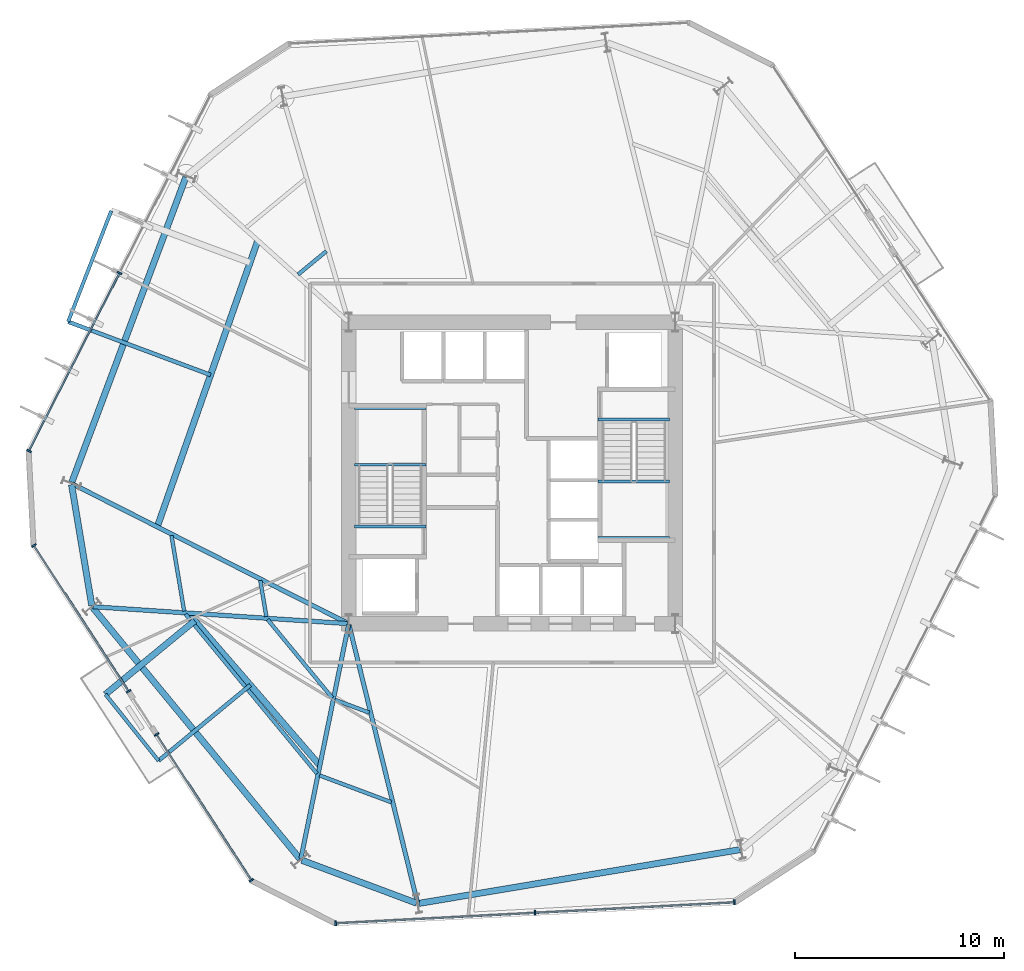
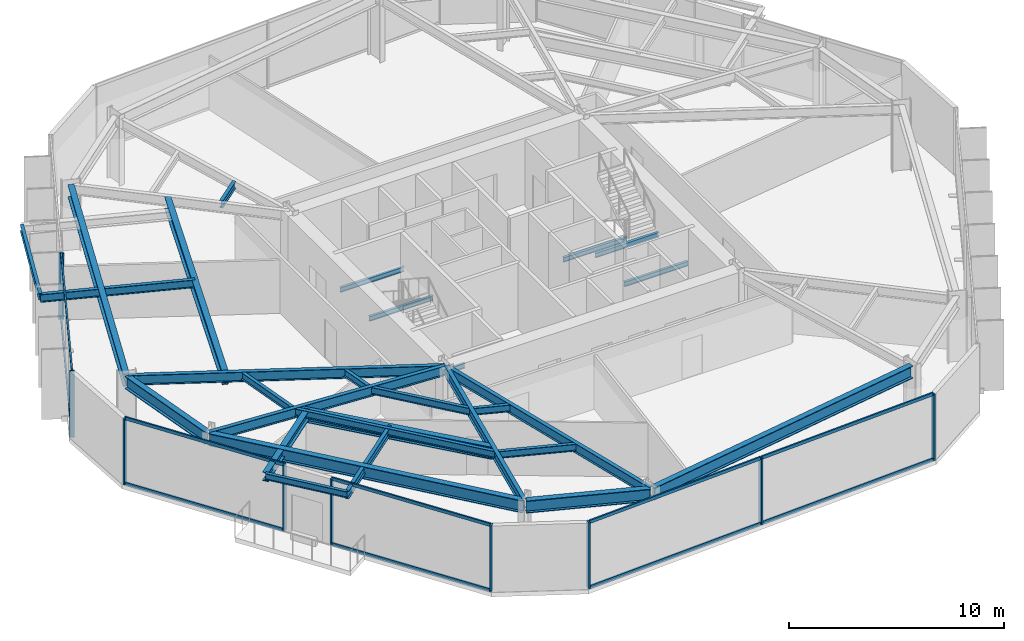
# One storey, part 2 of 10: 29 beams, 19 members, 4 elements without a shape of their own.
"""IFC4 building model written with IfcOpenShell, lengths in metres."""

import ifcopenshell
import ifcopenshell.guid

model = None  # the IFC model being written
_history = None  # IfcOwnerHistory: only IFC2X3 demands one
_inside = {}  # id of a spatial element -> (the spatial element, [elements in it])
_under = {}  # id of a project, library or spatial element -> (it, [spatial elements below it])
_declared = {}  # id of a project -> (the project, [libraries it declares])
_typed = {}  # id of a type object -> (the type object, [elements of that type])
_made_of = {}  # id of a material, layer set ... -> (it, [elements and type objects made of it])


def new_model(schema):
    """Start an empty IFC model of exactly this schema.

    Asked for "IFC4X3", IfcOpenShell would pick the latest addendum, in which some entities
    have other attributes; the version numbers below select the first issue.
    IFC2X3 requires an IfcOwnerHistory on every rooted entity: one is made here for all.
    """
    global model, _history
    if schema == "IFC4X3":
        model = ifcopenshell.file(schema_version=(4, 3, 0, 0))
    else:
        model = ifcopenshell.file(schema=schema)
    _inside.clear()
    _under.clear()
    _declared.clear()
    _typed.clear()
    _made_of.clear()
    _history = None
    if model.schema == "IFC2X3":
        org = make("IfcOrganization", Name="unknown")
        user = make(
            "IfcPersonAndOrganization",
            ThePerson=make("IfcPerson", FamilyName="unknown"),
            TheOrganization=org,
        )
        app = make(
            "IfcApplication",
            ApplicationDeveloper=org,
            Version="unknown",
            ApplicationFullName="unknown",
            ApplicationIdentifier="unknown",
        )
        _history = make(
            "IfcOwnerHistory",
            OwningUser=user,
            OwningApplication=app,
            ChangeAction="ADDED",
            CreationDate=0,
        )
    return model


def make(cls, **values):
    """One entity of the class cls with the attributes given. An attribute that is None is left unset."""
    return model.create_entity(
        cls, **{name: value for name, value in values.items() if value is not None}
    )


def rooted(cls, **values):
    """An entity with a GlobalId (a new one), such as an element, a storey or a relation."""
    return make(cls, GlobalId=ifcopenshell.guid.new(), OwnerHistory=_history, **values)


def si_unit(unit_type, name, prefix=None):
    """IfcSIUnit, for example si_unit("LENGTHUNIT", "METRE", prefix="MILLI")."""
    return make("IfcSIUnit", UnitType=unit_type, Prefix=prefix, Name=name)


def assignment(units):
    """IfcUnitAssignment: the units of a project."""
    return None if units is None else make("IfcUnitAssignment", Units=units)


def point(xyz):
    """IfcCartesianPoint."""
    return None if xyz is None else make("IfcCartesianPoint", Coordinates=xyz)


def direction(xyz):
    """IfcDirection."""
    return None if xyz is None else make("IfcDirection", DirectionRatios=xyz)


def frame(location, z_axis=None, x_axis=None):
    """IfcAxis2Placement3D, a coordinate frame: its origin and axes. An axis left out is left unset."""
    return make(
        "IfcAxis2Placement3D",
        Location=point(location),
        Axis=direction(z_axis),
        RefDirection=direction(x_axis),
    )


def frame_2d(location, x_axis=None):
    """IfcAxis2Placement2D, a coordinate frame in the plane: its origin and x axis."""
    return make(
        "IfcAxis2Placement2D", Location=point(location), RefDirection=direction(x_axis)
    )


def origin():
    """The frame at (0, 0, 0) with its axes left unset."""
    return frame((0.0, 0.0, 0.0))


def origin_2d():
    """The frame at (0, 0) in the plane with its x axis left unset."""
    return frame_2d((0.0, 0.0))


def place(relative_to, where):
    """IfcLocalPlacement: puts the frame where relative to a parent placement (None: the world)."""
    return make(
        "IfcLocalPlacement", PlacementRelTo=relative_to, RelativePlacement=where
    )


def context(
    kind, dimensions, precision=None, world=None, true_north=None, identifier=None
):
    """IfcGeometricRepresentationContext, for example the 3D "Model" context."""
    return make(
        "IfcGeometricRepresentationContext",
        ContextIdentifier=identifier,
        ContextType=kind,
        CoordinateSpaceDimension=dimensions,
        Precision=precision,
        WorldCoordinateSystem=world,
        TrueNorth=true_north,
    )


def subcontext(parent, identifier, kind, view, scale=None):
    """IfcGeometricRepresentationSubContext, for example "Body" below "Model"."""
    return make(
        "IfcGeometricRepresentationSubContext",
        ContextIdentifier=identifier,
        ContextType=kind,
        ParentContext=parent,
        TargetScale=scale,
        TargetView=view,
    )


def project(units=None, contexts=None):
    """IfcProject with its units and contexts."""
    return rooted(
        "IfcProject",
        Name="project",
        RepresentationContexts=contexts,
        UnitsInContext=assignment(units),
    )


def spatial(cls, under=None, at=None, **own):
    """A site, building, storey or space (cls), placed at a placement, below another one or the project."""
    s = rooted(cls, ObjectPlacement=at, **own)
    if under is not None:
        _under.setdefault(under.id(), (under, []))[1].append(s)
    return s


def profile(cls, at=None, kind="AREA", **sizes):
    """A parametric profile (cls). Its sizes go by their IFC names, for example OverallWidth=200.0."""
    return make(cls, ProfileType=kind, Position=at, **sizes)


def rectangle(**sizes):
    """IfcRectangleProfileDef."""
    return profile("IfcRectangleProfileDef", **sizes)


def i_section(**sizes):
    """IfcIShapeProfileDef."""
    return profile("IfcIShapeProfileDef", **sizes)


def extrude(swept, where, along, depth):
    """IfcExtrudedAreaSolid: the profile swept, set in the frame where, extruded along a direction by depth."""
    return make(
        "IfcExtrudedAreaSolid",
        SweptArea=swept,
        Position=where,
        ExtrudedDirection=direction(along),
        Depth=depth,
    )


def shape(context_of_items, identifier, shape_type, items):
    """IfcShapeRepresentation: the items that make up one representation, for example the "Body"."""
    return make(
        "IfcShapeRepresentation",
        ContextOfItems=context_of_items,
        RepresentationIdentifier=identifier,
        RepresentationType=shape_type,
        Items=items,
    )


def material(Name=None, Category=None):
    """IfcMaterial."""
    return make("IfcMaterial", Name=Name, Category=Category)


def layer(
    of_material, thickness, ventilated=None, Name=None, Category=None, Priority=None
):
    """IfcMaterialLayer: one layer of a wall or slab, of a material (None: an air gap)."""
    return make(
        "IfcMaterialLayer",
        Material=of_material,
        LayerThickness=thickness,
        IsVentilated=ventilated,
        Name=Name,
        Category=Category,
        Priority=Priority,
    )


def layer_set(layers, Name=None):
    """IfcMaterialLayerSet."""
    return make("IfcMaterialLayerSet", MaterialLayers=layers, LayerSetName=Name)


def material_profile(
    of_material, cross_section, Name=None, Category=None, Priority=None
):
    """IfcMaterialProfile: a cross section and its material."""
    return make(
        "IfcMaterialProfile",
        Name=Name,
        Material=of_material,
        Profile=cross_section,
        Priority=Priority,
        Category=Category,
    )


def profile_set(profiles, Name=None, composite=None):
    """IfcMaterialProfileSet."""
    return make(
        "IfcMaterialProfileSet",
        Name=Name,
        MaterialProfiles=profiles,
        CompositeProfile=composite,
    )


def made_of(thing, what):
    """Note that an element or type object is made of a material, layer set ...; save() writes the relation."""
    if what is not None:
        _made_of.setdefault(what.id(), (what, []))[1].append(thing)
    return thing


def type_object(cls, material=None, **own):
    """A type object (cls), such as IfcWallType, which elements share."""
    return made_of(rooted(cls, **own), material)


def element(
    cls,
    number,
    at=None,
    inside=None,
    cuts=None,
    type_object=None,
    material=None,
    context=None,
    identifier="Body",
    shape_type=None,
    held_by="IfcProductDefinitionShape",
    body=None,
    shapes=None,
    **own,
):
    """One element of the class cls, such as IfcWall. Its Tag is "e" and its number.

    at: its placement. inside: the storey or other place that contains it. cuts: it is an
    opening in that element (IfcRelVoidsElement). A single representation is given by context,
    identifier, shape_type and body (its items); several are given by shapes. held_by: the class
    of the entity that holds the representations. save() writes the other relations.
    """
    e = rooted(cls, Tag="e%d" % number, ObjectPlacement=at, **own)
    if body is not None:
        shapes = [shape(context, identifier, shape_type, body)]
    if shapes is not None:
        e.Representation = make(held_by, Representations=shapes)
    if inside is not None:
        _inside.setdefault(inside.id(), (inside, []))[1].append(e)
    if cuts is not None:
        rooted(
            "IfcRelVoidsElement", RelatingBuildingElement=cuts, RelatedOpeningElement=e
        )
    if type_object is not None:
        _typed.setdefault(type_object.id(), (type_object, []))[1].append(e)
    return made_of(e, material)


def aggregate(whole, parts):
    """IfcRelAggregates: a whole, such as a stair, and the parts it consists of."""
    return rooted("IfcRelAggregates", RelatingObject=whole, RelatedObjects=parts)


def save(model, path):
    """Write the relations noted so far, then the file.

    IfcRelAggregates (storeys below a building ...), IfcRelContainedInSpatialStructure (elements
    in a storey), IfcRelDefinesByType, IfcRelAssociatesMaterial and IfcRelDeclares: one each for
    every whole, place, type object, material and project.
    """
    for whole, parts in _under.values():
        aggregate(whole, parts)
    for where, things in _inside.values():
        rooted(
            "IfcRelContainedInSpatialStructure",
            RelatedElements=things,
            RelatingStructure=where,
        )
    for kind, things in _typed.values():
        rooted("IfcRelDefinesByType", RelatedObjects=things, RelatingType=kind)
    for what, things in _made_of.values():
        rooted("IfcRelAssociatesMaterial", RelatedObjects=things, RelatingMaterial=what)
    for by, libraries in _declared.values():
        rooted("IfcRelDeclares", RelatingContext=by, RelatedDefinitions=libraries)
    model.write(path)


model = new_model("IFC4")

# Units and contexts
model_context = context("Model", 3, precision=1e-05, world=origin(), true_north=direction((0.0, 1.0)))
body_context = subcontext(model_context, "Body", "Model", "MODEL_VIEW")
ifc_project = project(units=[si_unit("LENGTHUNIT", "METRE"), si_unit("AREAUNIT", "SQUARE_METRE"), si_unit("VOLUMEUNIT", "CUBIC_METRE"), si_unit("PLANEANGLEUNIT", "RADIAN"), si_unit("MASSUNIT", "GRAM", prefix="KILO")], contexts=[model_context])

# Site, building, storey
site_placement = place(None, origin())
site = spatial("IfcSite", under=ifc_project, at=site_placement, CompositionType="ELEMENT")
building_placement = place(site_placement, origin())
building = spatial("IfcBuilding", under=site, at=building_placement, Name="Kranzbogen Civic Tower", CompositionType="ELEMENT")
storey_placement = place(building_placement, frame((0.0, 0.0, 32.0)))
storey = spatial("IfcBuildingStorey", under=building, at=storey_placement, Name="L07", CompositionType="ELEMENT", Elevation=32.0)

# Beams
ifc_material_1 = material(Name="Steel S355", Category="steel")
ifc_material_profile_1 = material_profile(ifc_material_1, i_section(OverallWidth=0.18994140625, OverallDepth=0.449951171875, WebThickness=0.009521484375, FlangeThickness=0.0146484375, at=origin_2d()), Name="IPE 450")
ifc_profile_set_1 = profile_set([ifc_material_profile_1], Name="Steel S355")
beam_type_1 = type_object("IfcBeamType", Name="Braced Terrace Edge Beam IPE 450", PredefinedType="BEAM", material=ifc_profile_set_1)
beam_1_placement = place(storey_placement, frame((12.4951171875, 14.867919921875, 3.52490234375), z_axis=(-0.771589279527, -0.636121044864, 0.0), x_axis=(0.636121044864, -0.771589279527, 0.0)))
element("IfcBeam", 1, at=beam_1_placement, inside=storey, type_object=beam_type_1, Name="L08 back-spanned terrace beam L08-TB2-2", PredefinedType="BEAM", context=body_context, shape_type="SweptSolid", body=[
    extrude(i_section(OverallWidth=0.18994140625, OverallDepth=0.449951171875, WebThickness=0.009521484375, FlangeThickness=0.0146484375, at=origin_2d()), origin(), (0.0, 0.0, 1.0), 5.68603515625),
])
beam_2_placement = place(storey_placement, frame((10.595947265625, 29.68603515625, 3.4951171875), z_axis=(-0.936719336093, 0.35008125541, 0.0), x_axis=(-0.35008125541, -0.936719336093, 0.0)))
element("IfcBeam", 2, at=beam_2_placement, inside=storey, type_object=beam_type_1, Name="L08 back-spanned terrace beam L08-ST-2", PredefinedType="BEAM", context=body_context, shape_type="SweptSolid", body=[
    extrude(i_section(OverallWidth=0.18994140625, OverallDepth=0.449951171875, WebThickness=0.009521484375, FlangeThickness=0.0146484375, at=origin_2d()), origin(), (0.0, 0.0, 1.0), 7.266845703125),
])

# Curtain wall, members
ifc_material_2 = material(Name="Pale Anodised Aluminium", Category="aluminium")
ifc_layer = layer(ifc_material_2, 0.219970703125, Name="Pale Anodised Aluminium")
ifc_layer_set = layer_set([ifc_layer], Name="Pale Anodised Aluminium")
curtain_wall_type = type_object("IfcCurtainWallType", Name="Zone 1 Stick Curtain Wall System CW-02", PredefinedType="USERDEFINED", material=ifc_layer_set)
curtain_wall_1_placement = place(storey_placement, origin())
curtain_wall_1 = element("IfcCurtainWall", 3, at=curtain_wall_1_placement, inside=storey, type_object=curtain_wall_type, Name="L07 curtain wall CW-L07-F3", ObjectType="STICK CURTAIN WALL", PredefinedType="USERDEFINED")
ifc_material_profile_2 = material_profile(ifc_material_2, rectangle(XDim=0.080078125, YDim=0.239990234375, at=origin_2d()), Name="ALU-M 80x240")
ifc_profile_set_2 = profile_set([ifc_material_profile_2], Name="Pale Anodised Aluminium")
member_type_1 = type_object("IfcMemberType", Name="Curtain Wall Mullion ALU-M 80x240", PredefinedType="MULLION", material=ifc_profile_set_2)
member_1_placement = place(storey_placement, frame((6.24658203125, 34.555419921875, 0.0), z_axis=(0.0, 0.0, 1.0), x_axis=(-0.453993092664, -0.891005203022, 0.0)))
member_1 = element("IfcMember", 4, at=member_1_placement, type_object=member_type_1, Name="CW-02 mullion 2", PredefinedType="MULLION", context=body_context, shape_type="SweptSolid", body=[
    extrude(rectangle(XDim=0.080078125, YDim=0.239990234375, at=origin_2d()), origin(), (0.0, 0.0, 1.0), 3.760009765625),
])
member_2_placement = place(storey_placement, frame((1.91552734375, 26.0556640625, 0.0), z_axis=(0.0, 0.0, 1.0), x_axis=(-0.453993092664, -0.891005203022, 0.0)))
member_2 = element("IfcMember", 5, at=member_2_placement, type_object=member_type_1, Name="CW-02 mullion 3", PredefinedType="MULLION", context=body_context, shape_type="SweptSolid", body=[
    extrude(rectangle(XDim=0.080078125, YDim=0.239990234375, at=origin_2d()), origin(), (0.0, 0.0, 1.0), 3.760009765625),
])

curtain_wall_2_placement = place(storey_placement, origin())
curtain_wall_2 = element("IfcCurtainWall", 6, at=curtain_wall_2_placement, inside=storey, type_object=curtain_wall_type, Name="L07 curtain wall CW-L07-F4-S1", ObjectType="STICK CURTAIN WALL", PredefinedType="USERDEFINED")
member_3_placement = place(storey_placement, frame((2.15234375, 21.536865234375, 0.0), z_axis=(0.0, 0.0, 1.0), x_axis=(0.544622907233, -0.838681041229, 0.0)))
member_3 = element("IfcMember", 7, at=member_3_placement, type_object=member_type_1, Name="CW-02 mullion 1", PredefinedType="MULLION", context=body_context, shape_type="SweptSolid", body=[
    extrude(rectangle(XDim=0.080078125, YDim=0.239990234375, at=origin_2d()), origin(), (0.0, 0.0, 1.0), 3.760009765625),
])
member_4_placement = place(storey_placement, frame((6.677734375, 14.568115234375, 0.0), z_axis=(0.0, 0.0, 1.0), x_axis=(0.544622907233, -0.838681041229, 0.0)))
member_4 = element("IfcMember", 8, at=member_4_placement, type_object=member_type_1, Name="CW-02 mullion 2", PredefinedType="MULLION", context=body_context, shape_type="SweptSolid", body=[
    extrude(rectangle(XDim=0.080078125, YDim=0.239990234375, at=origin_2d()), origin(), (0.0, 0.0, 1.0), 3.760009765625),
])

curtain_wall_3_placement = place(storey_placement, origin())
curtain_wall_3 = element("IfcCurtainWall", 9, at=curtain_wall_3_placement, inside=storey, type_object=curtain_wall_type, Name="L07 curtain wall CW-L07-F4-S2", ObjectType="STICK CURTAIN WALL", PredefinedType="USERDEFINED")
member_5_placement = place(storey_placement, frame((8.018310546875, 12.5048828125, 0.0), z_axis=(0.0, 0.0, 1.0), x_axis=(0.544622907233, -0.838681041229, 0.0)))
member_5 = element("IfcMember", 10, at=member_5_placement, type_object=member_type_1, Name="CW-02 mullion 1", PredefinedType="MULLION", context=body_context, shape_type="SweptSolid", body=[
    extrude(rectangle(XDim=0.080078125, YDim=0.239990234375, at=origin_2d()), origin(), (0.0, 0.0, 1.0), 3.760009765625),
])
member_6_placement = place(storey_placement, frame((12.543701171875, 5.5361328125, 0.0), z_axis=(0.0, 0.0, 1.0), x_axis=(0.544622907233, -0.838681041229, 0.0)))
member_6 = element("IfcMember", 11, at=member_6_placement, type_object=member_type_1, Name="CW-02 mullion 2", PredefinedType="MULLION", context=body_context, shape_type="SweptSolid", body=[
    extrude(rectangle(XDim=0.080078125, YDim=0.239990234375, at=origin_2d()), origin(), (0.0, 0.0, 1.0), 3.760009765625),
])

curtain_wall_4_placement = place(storey_placement, origin())
curtain_wall_4 = element("IfcCurtainWall", 12, at=curtain_wall_4_placement, inside=storey, type_object=curtain_wall_type, Name="L07 curtain wall CW-L07-F5", ObjectType="STICK CURTAIN WALL", PredefinedType="USERDEFINED")
member_7_placement = place(storey_placement, frame((16.574951171875, 3.481689453125, 0.0), z_axis=(0.0, 0.0, 1.0), x_axis=(0.998628489933, 0.052355888813, 0.0)))
member_7 = element("IfcMember", 13, at=member_7_placement, type_object=member_type_1, Name="CW-02 mullion 1", PredefinedType="MULLION", context=body_context, shape_type="SweptSolid", body=[
    extrude(rectangle(XDim=0.080078125, YDim=0.239990234375, at=origin_2d()), origin(), (0.0, 0.0, 1.0), 3.760009765625),
])
member_8_placement = place(storey_placement, frame((26.10107421875, 3.98095703125, 0.0), z_axis=(0.0, 0.0, 1.0), x_axis=(0.998628489933, 0.052355888813, 0.0)))
member_8 = element("IfcMember", 14, at=member_8_placement, type_object=member_type_1, Name="CW-02 mullion 2", PredefinedType="MULLION", context=body_context, shape_type="SweptSolid", body=[
    extrude(rectangle(XDim=0.080078125, YDim=0.239990234375, at=origin_2d()), origin(), (0.0, 0.0, 1.0), 3.760009765625),
])
member_9_placement = place(storey_placement, frame((35.626953125, 4.48046875, 0.0), z_axis=(0.0, 0.0, 1.0), x_axis=(0.998628489933, 0.052355888813, 0.0)))
member_9 = element("IfcMember", 15, at=member_9_placement, type_object=member_type_1, Name="CW-02 mullion 3", PredefinedType="MULLION", context=body_context, shape_type="SweptSolid", body=[
    extrude(rectangle(XDim=0.080078125, YDim=0.239990234375, at=origin_2d()), origin(), (0.0, 0.0, 1.0), 3.760009765625),
])

# Member
ifc_material_profile_3 = material_profile(ifc_material_2, rectangle(XDim=0.080078125, YDim=0.179931640625, at=origin_2d()), Name="ALU-T 80x180")
ifc_profile_set_3 = profile_set([ifc_material_profile_3], Name="Pale Anodised Aluminium")
member_type_2 = type_object("IfcMemberType", Name="Curtain Wall Transom ALU-T 80x180", PredefinedType="USERDEFINED", material=ifc_profile_set_3)
member_10_placement = place(storey_placement, frame((6.23291015625, 34.52880859375, 0.030029296875), z_axis=(-0.453999854898, -0.891001757435, 0.0), x_axis=(0.891001757435, -0.453999854898, 0.0)))
member_10 = element("IfcMember", 16, at=member_10_placement, type_object=member_type_2, Name="CW-02 transom 2.1", ObjectType="TRANSOM", PredefinedType="USERDEFINED", context=body_context, shape_type="SweptSolid", body=[
    extrude(rectangle(XDim=0.080078125, YDim=0.179931640625, at=origin_2d()), origin(), (0.0, 0.0, 1.0), 9.4794921875),
])

member_11_placement = place(storey_placement, frame((6.23291015625, 34.52880859375, 3.72998046875), z_axis=(-0.453999854898, -0.891001757435, 0.0), x_axis=(0.891001757435, -0.453999854898, 0.0)))
member_11 = element("IfcMember", 17, at=member_11_placement, type_object=member_type_2, Name="CW-02 transom 2.2", ObjectType="TRANSOM", PredefinedType="USERDEFINED", context=body_context, shape_type="SweptSolid", body=[
    extrude(rectangle(XDim=0.080078125, YDim=0.179931640625, at=origin_2d()), origin(), (0.0, 0.0, 1.0), 9.4794921875),
])

aggregate(curtain_wall_1, [member_1, member_2, member_10, member_11])

member_12_placement = place(storey_placement, frame((2.168701171875, 21.51171875, 0.030029296875), z_axis=(0.544620042238, -0.838682901693, 0.0), x_axis=(0.838682901693, 0.544620042238, 0.0)))
member_12 = element("IfcMember", 18, at=member_12_placement, type_object=member_type_2, Name="CW-02 transom 1.1", ObjectType="TRANSOM", PredefinedType="USERDEFINED", context=body_context, shape_type="SweptSolid", body=[
    extrude(rectangle(XDim=0.080078125, YDim=0.179931640625, at=origin_2d()), origin(), (0.0, 0.0, 1.0), 8.249267578125),
])

member_13_placement = place(storey_placement, frame((2.168701171875, 21.51171875, 3.72998046875), z_axis=(0.544620042238, -0.838682901693, 0.0), x_axis=(0.838682901693, 0.544620042238, 0.0)))
member_13 = element("IfcMember", 19, at=member_13_placement, type_object=member_type_2, Name="CW-02 transom 1.2", ObjectType="TRANSOM", PredefinedType="USERDEFINED", context=body_context, shape_type="SweptSolid", body=[
    extrude(rectangle(XDim=0.080078125, YDim=0.179931640625, at=origin_2d()), origin(), (0.0, 0.0, 1.0), 8.249267578125),
])

aggregate(curtain_wall_2, [member_3, member_4, member_12, member_13])

member_14_placement = place(storey_placement, frame((8.03466796875, 12.479736328125, 0.030029296875), z_axis=(0.544620042238, -0.838682901693, 0.0), x_axis=(0.838682901693, 0.544620042238, 0.0)))
member_14 = element("IfcMember", 20, at=member_14_placement, type_object=member_type_2, Name="CW-02 transom 1.1", ObjectType="TRANSOM", PredefinedType="USERDEFINED", context=body_context, shape_type="SweptSolid", body=[
    extrude(rectangle(XDim=0.080078125, YDim=0.179931640625, at=origin_2d()), origin(), (0.0, 0.0, 1.0), 8.249267578125),
])

member_15_placement = place(storey_placement, frame((8.03466796875, 12.479736328125, 3.72998046875), z_axis=(0.544620042238, -0.838682901693, 0.0), x_axis=(0.838682901693, 0.544620042238, 0.0)))
member_15 = element("IfcMember", 21, at=member_15_placement, type_object=member_type_2, Name="CW-02 transom 1.2", ObjectType="TRANSOM", PredefinedType="USERDEFINED", context=body_context, shape_type="SweptSolid", body=[
    extrude(rectangle(XDim=0.080078125, YDim=0.179931640625, at=origin_2d()), origin(), (0.0, 0.0, 1.0), 8.249267578125),
])

aggregate(curtain_wall_3, [member_5, member_6, member_14, member_15])

member_16_placement = place(storey_placement, frame((16.60498046875, 3.483154296875, 0.030029296875), z_axis=(0.998628197512, 0.052361466112, 0.0), x_axis=(-0.052361466112, 0.998628197512, 0.0)))
member_16 = element("IfcMember", 22, at=member_16_placement, type_object=member_type_2, Name="CW-02 transom 1.1", ObjectType="TRANSOM", PredefinedType="USERDEFINED", context=body_context, shape_type="SweptSolid", body=[
    extrude(rectangle(XDim=0.080078125, YDim=0.179931640625, at=origin_2d()), origin(), (0.0, 0.0, 1.0), 9.47900390625),
])

member_17_placement = place(storey_placement, frame((16.60498046875, 3.483154296875, 3.72998046875), z_axis=(0.998628197512, 0.052361466112, 0.0), x_axis=(-0.052361466112, 0.998628197512, 0.0)))
member_17 = element("IfcMember", 23, at=member_17_placement, type_object=member_type_2, Name="CW-02 transom 1.2", ObjectType="TRANSOM", PredefinedType="USERDEFINED", context=body_context, shape_type="SweptSolid", body=[
    extrude(rectangle(XDim=0.080078125, YDim=0.179931640625, at=origin_2d()), origin(), (0.0, 0.0, 1.0), 9.47900390625),
])

member_18_placement = place(storey_placement, frame((26.130859375, 3.982666015625, 0.030029296875), z_axis=(0.998629614487, 0.052334434844, 0.0), x_axis=(-0.052334434844, 0.998629614487, 0.0)))
member_18 = element("IfcMember", 24, at=member_18_placement, type_object=member_type_2, Name="CW-02 transom 2.1", ObjectType="TRANSOM", PredefinedType="USERDEFINED", context=body_context, shape_type="SweptSolid", body=[
    extrude(rectangle(XDim=0.080078125, YDim=0.179931640625, at=origin_2d()), origin(), (0.0, 0.0, 1.0), 9.479248046875),
])

member_19_placement = place(storey_placement, frame((26.130859375, 3.982666015625, 3.72998046875), z_axis=(0.998629614487, 0.052334434844, 0.0), x_axis=(-0.052334434844, 0.998629614487, 0.0)))
member_19 = element("IfcMember", 25, at=member_19_placement, type_object=member_type_2, Name="CW-02 transom 2.2", ObjectType="TRANSOM", PredefinedType="USERDEFINED", context=body_context, shape_type="SweptSolid", body=[
    extrude(rectangle(XDim=0.080078125, YDim=0.179931640625, at=origin_2d()), origin(), (0.0, 0.0, 1.0), 9.479248046875),
])

aggregate(curtain_wall_4, [member_7, member_8, member_9, member_16, member_17, member_18, member_19])

# Beams
ifc_material_profile_4 = material_profile(ifc_material_1, i_section(OverallWidth=0.300048828125, OverallDepth=0.5, WebThickness=0.014404296875, FlangeThickness=0.028076171875, at=origin_2d()), Name="HEB 500")
ifc_profile_set_4 = profile_set([ifc_material_profile_4], Name="Steel S355")
beam_type_2 = type_object("IfcBeamType", Name="Perimeter Tube Spandrel Beam HEB 500", PredefinedType="SPANDREL", material=ifc_profile_set_4)
beam_3_placement = place(storey_placement, frame((9.8369140625, 17.94091796875, 3.5), z_axis=(-0.771610108397, -0.636095779439, 0.0), x_axis=(0.636095779439, -0.771610108397, 0.0)))
element("IfcBeam", 26, at=beam_3_placement, inside=storey, type_object=beam_type_2, Name="L08 back-spanned terrace beam L08-TB2-1", PredefinedType="SPANDREL", context=body_context, shape_type="SweptSolid", body=[
    extrude(i_section(OverallWidth=0.300048828125, OverallDepth=0.5, WebThickness=0.014404296875, FlangeThickness=0.028076171875, at=origin_2d()), origin(), (0.0, 0.0, 1.0), 5.52734375),
])
ifc_material_profile_5 = material_profile(ifc_material_1, i_section(OverallWidth=0.300048828125, OverallDepth=0.699951171875, WebThickness=0.01708984375, FlangeThickness=0.031982421875, at=origin_2d()), Name="HEB 700")
ifc_profile_set_5 = profile_set([ifc_material_profile_5], Name="Steel S355")
beam_type_3 = type_object("IfcBeamType", Name="Perimeter Tube Spandrel Beam HEB 700", PredefinedType="SPANDREL", material=ifc_profile_set_5)
beam_4_placement = place(storey_placement, frame((3.952880859375, 24.445068359375, 3.409912109375), z_axis=(0.164913116942, -0.986308097838, 0.0), x_axis=(0.986308097838, 0.164913116942, 0.0)))
element("IfcBeam", 27, at=beam_4_placement, inside=storey, type_object=beam_type_3, Name="L07 perimeter spandrel beam 01", PredefinedType="SPANDREL", context=body_context, shape_type="SweptSolid", body=[
    extrude(i_section(OverallWidth=0.300048828125, OverallDepth=0.699951171875, WebThickness=0.01708984375, FlangeThickness=0.031982421875, at=origin_2d()), origin(), (0.0, 0.0, 1.0), 5.85205078125),
])
beam_5_placement = place(storey_placement, frame((4.966064453125, 18.568115234375, 3.409912109375), z_axis=(0.636074572579, -0.771627590304, 0.0), x_axis=(0.771627590304, 0.636074572579, 0.0)))
element("IfcBeam", 28, at=beam_5_placement, inside=storey, type_object=beam_type_3, Name="L07 perimeter spandrel beam 02", PredefinedType="SPANDREL", context=body_context, shape_type="SweptSolid", body=[
    extrude(i_section(OverallWidth=0.300048828125, OverallDepth=0.699951171875, WebThickness=0.01708984375, FlangeThickness=0.031982421875, at=origin_2d()), origin(), (0.0, 0.0, 1.0), 15.5595703125),
])
beam_6_placement = place(storey_placement, frame((14.95703125, 6.4951171875, 3.409912109375), z_axis=(0.936647646965, -0.350273015568, 0.0), x_axis=(0.350273015568, 0.936647646965, 0.0)))
element("IfcBeam", 29, at=beam_6_placement, inside=storey, type_object=beam_type_3, Name="L07 perimeter spandrel beam 03", PredefinedType="SPANDREL", context=body_context, shape_type="SweptSolid", body=[
    extrude(i_section(OverallWidth=0.300048828125, OverallDepth=0.699951171875, WebThickness=0.01708984375, FlangeThickness=0.031982421875, at=origin_2d()), origin(), (0.0, 0.0, 1.0), 5.852783203125),
])
beam_7_placement = place(storey_placement, frame((20.553955078125, 4.43408203125, 3.409912109375), z_axis=(0.986285563243, 0.165047834697, 0.0), x_axis=(-0.165047834697, 0.986285563243, 0.0)))
element("IfcBeam", 30, at=beam_7_placement, inside=storey, type_object=beam_type_3, Name="L07 perimeter spandrel beam 04", PredefinedType="SPANDREL", context=body_context, shape_type="SweptSolid", body=[
    extrude(i_section(OverallWidth=0.300048828125, OverallDepth=0.699951171875, WebThickness=0.01708984375, FlangeThickness=0.031982421875, at=origin_2d()), origin(), (0.0, 0.0, 1.0), 15.558349609375),
])
beam_8_placement = place(storey_placement, frame((9.412109375, 39.133056640625, 3.409912109375), z_axis=(-0.350172267932, -0.936685316833, 0.0), x_axis=(0.936685316833, -0.350172267932, 0.0)))
element("IfcBeam", 31, at=beam_8_placement, inside=storey, type_object=beam_type_3, Name="L07 perimeter spandrel beam 12", PredefinedType="SPANDREL", context=body_context, shape_type="SweptSolid", body=[
    extrude(i_section(OverallWidth=0.300048828125, OverallDepth=0.699951171875, WebThickness=0.01708984375, FlangeThickness=0.031982421875, at=origin_2d()), origin(), (0.0, 0.0, 1.0), 15.55810546875),
])
beam_9_placement = place(storey_placement, frame((9.51806640625, 18.31005859375, 3.39990234375), z_axis=(0.654072384898, -0.75643196344, 0.0), x_axis=(0.75643196344, 0.654072384898, 0.0)))
element("IfcBeam", 32, at=beam_9_placement, inside=storey, type_object=beam_type_3, Name="L08 balcony back-span header girder L08-TB2", PredefinedType="SPANDREL", context=body_context, shape_type="SweptSolid", body=[
    extrude(i_section(OverallWidth=0.300048828125, OverallDepth=0.699951171875, WebThickness=0.01708984375, FlangeThickness=0.031982421875, at=origin_2d()), origin(), (0.0, 0.0, 1.0), 9.633544921875),
])
beam_10_placement = place(storey_placement, frame((12.85205078125, 36.112060546875, 3.3701171875), z_axis=(-0.331242591506, -0.943545624531, 0.0), x_axis=(0.943545624531, -0.331242591506, 0.0)))
element("IfcBeam", 33, at=beam_10_placement, inside=storey, type_object=beam_type_3, Name="L08 balcony back-span header girder L08-ST", PredefinedType="SPANDREL", context=body_context, shape_type="SweptSolid", body=[
    extrude(i_section(OverallWidth=0.300048828125, OverallDepth=0.699951171875, WebThickness=0.01708984375, FlangeThickness=0.031982421875, at=origin_2d()), origin(), (0.0, 0.0, 1.0), 14.5029296875),
])
ifc_material_profile_6 = material_profile(ifc_material_1, i_section(OverallWidth=0.2099609375, OverallDepth=0.550048828125, WebThickness=0.010986328125, FlangeThickness=0.01708984375, at=origin_2d()), Name="IPE 550")
ifc_profile_set_6 = profile_set([ifc_material_profile_6], Name="Steel S355")
beam_type_4 = type_object("IfcBeamType", Name="Radial Tower Floor Girder IPE 550", PredefinedType="BEAM", material=ifc_profile_set_6)
beam_11_placement = place(storey_placement, frame((3.9970703125, 24.47705078125, 3.485107421875), z_axis=(0.892363219254, -0.451317942168, 0.0), x_axis=(0.451317942168, 0.892363219254, 0.0)))
element("IfcBeam", 34, at=beam_11_placement, inside=storey, type_object=beam_type_4, Name="L07 radial floor girder 01", PredefinedType="BEAM", context=body_context, shape_type="SweptSolid", body=[
    extrude(i_section(OverallWidth=0.2099609375, OverallDepth=0.550048828125, WebThickness=0.010986328125, FlangeThickness=0.01708984375, at=origin_2d()), origin(), (0.0, 0.0, 1.0), 14.73486328125),
])
beam_12_placement = place(storey_placement, frame((4.988037109375, 18.610107421875, 3.485107421875), z_axis=(0.99780674843, -0.066194356156, 0.0), x_axis=(0.066194356156, 0.99780674843, 0.0)))
element("IfcBeam", 35, at=beam_12_placement, inside=storey, type_object=beam_type_4, Name="L07 radial floor girder 02", PredefinedType="BEAM", context=body_context, shape_type="SweptSolid", body=[
    extrude(i_section(OverallWidth=0.2099609375, OverallDepth=0.550048828125, WebThickness=0.010986328125, FlangeThickness=0.01708984375, at=origin_2d()), origin(), (0.0, 0.0, 1.0), 12.178466796875),
])
beam_13_placement = place(storey_placement, frame((14.9130859375, 6.574951171875, 3.485107421875), z_axis=(0.199633433694, 0.979870650725, 0.0), x_axis=(-0.979870650725, 0.199633433694, 0.0)))
element("IfcBeam", 36, at=beam_13_placement, inside=storey, type_object=beam_type_4, Name="L07 radial floor girder 03", PredefinedType="BEAM", context=body_context, shape_type="SweptSolid", body=[
    extrude(i_section(OverallWidth=0.2099609375, OverallDepth=0.550048828125, WebThickness=0.010986328125, FlangeThickness=0.01708984375, at=origin_2d()), origin(), (0.0, 0.0, 1.0), 11.3955078125),
])
beam_14_placement = place(storey_placement, frame((20.48095703125, 4.48193359375, 3.485107421875), z_axis=(-0.239215348776, 0.970966537482, 0.0), x_axis=(-0.970966537482, -0.239215348776, 0.0)))
element("IfcBeam", 37, at=beam_14_placement, inside=storey, type_object=beam_type_4, Name="L07 radial floor girder 04", PredefinedType="BEAM", context=body_context, shape_type="SweptSolid", body=[
    extrude(i_section(OverallWidth=0.2099609375, OverallDepth=0.550048828125, WebThickness=0.010986328125, FlangeThickness=0.01708984375, at=origin_2d()), origin(), (0.0, 0.0, 1.0), 13.656494140625),
])
ifc_material_profile_7 = material_profile(ifc_material_1, i_section(OverallWidth=0.169921875, OverallDepth=0.360107421875, WebThickness=0.008056640625, FlangeThickness=0.0126953125, at=origin_2d()), Name="IPE 360")
ifc_profile_set_7 = profile_set([ifc_material_profile_7], Name="Steel S355")
beam_type_5 = type_object("IfcBeamType", Name="Secondary Composite Floor Joist IPE 360", PredefinedType="JOIST", material=ifc_profile_set_7)
beam_15_placement = place(storey_placement, frame((5.572021484375, 14.425048828125, 3.570068359375), z_axis=(0.624189253322, -0.78127317632, 0.0), x_axis=(0.78127317632, 0.624189253322, 0.0)))
element("IfcBeam", 38, at=beam_15_placement, inside=storey, type_object=beam_type_5, Name="L08 terrace outer edge trimmer L08-TB2", PredefinedType="JOIST", context=body_context, shape_type="SweptSolid", body=[
    extrude(i_section(OverallWidth=0.169921875, OverallDepth=0.360107421875, WebThickness=0.008056640625, FlangeThickness=0.0126953125, at=origin_2d()), origin(), (0.0, 0.0, 1.0), 4.062744140625),
])
beam_16_placement = place(storey_placement, frame((5.84912109375, 37.529052734375, 3.5400390625), z_axis=(-0.362340574325, -0.932045765077, 0.0), x_axis=(0.932045765077, -0.362340574325, 0.0)))
element("IfcBeam", 39, at=beam_16_placement, inside=storey, type_object=beam_type_5, Name="L08 terrace outer edge trimmer L08-ST", PredefinedType="JOIST", context=body_context, shape_type="SweptSolid", body=[
    extrude(i_section(OverallWidth=0.169921875, OverallDepth=0.360107421875, WebThickness=0.008056640625, FlangeThickness=0.0126953125, at=origin_2d()), origin(), (0.0, 0.0, 1.0), 5.685302734375),
])
ifc_material_profile_8 = material_profile(ifc_material_1, i_section(OverallWidth=0.179931640625, OverallDepth=0.39990234375, WebThickness=0.008544921875, FlangeThickness=0.013427734375, at=origin_2d()), Name="IPE 400")
ifc_profile_set_8 = profile_set([ifc_material_profile_8], Name="Steel S355")
beam_type_6 = type_object("IfcBeamType", Name="Secondary Composite Floor Joist IPE 400", PredefinedType="JOIST", material=ifc_profile_set_8)
beam_17_placement = place(storey_placement, frame((8.72900390625, 22.011962890625, 3.56005859375), z_axis=(0.164928678379, -0.986305495802, 0.0), x_axis=(0.986305495802, 0.164928678379, 0.0)))
element("IfcBeam", 40, at=beam_17_placement, inside=storey, type_object=beam_type_6, Name="L07 secondary floor joist 1.01", PredefinedType="JOIST", context=body_context, shape_type="SweptSolid", body=[
    extrude(i_section(OverallWidth=0.179931640625, OverallDepth=0.39990234375, WebThickness=0.008544921875, FlangeThickness=0.013427734375, at=origin_2d()), origin(), (0.0, 0.0, 1.0), 3.662109375),
])
beam_18_placement = place(storey_placement, frame((12.970947265625, 19.865966796875, 3.56005859375), z_axis=(0.165077224104, -0.986280644686, 0.0), x_axis=(0.986280644686, 0.165077224104, 0.0)))
element("IfcBeam", 41, at=beam_18_placement, inside=storey, type_object=beam_type_6, Name="L07 secondary floor joist 2.01", PredefinedType="JOIST", context=body_context, shape_type="SweptSolid", body=[
    extrude(i_section(OverallWidth=0.179931640625, OverallDepth=0.39990234375, WebThickness=0.008544921875, FlangeThickness=0.013427734375, at=origin_2d()), origin(), (0.0, 0.0, 1.0), 1.7509765625),
])
beam_19_placement = place(storey_placement, frame((9.39697265625, 18.259033203125, 3.56005859375), z_axis=(0.636094561772, -0.771611112209, 0.0), x_axis=(0.771611112209, 0.636094561772, 0.0)))
element("IfcBeam", 42, at=beam_19_placement, inside=storey, type_object=beam_type_6, Name="L07 secondary floor joist 1.02", PredefinedType="JOIST", context=body_context, shape_type="SweptSolid", body=[
    extrude(i_section(OverallWidth=0.179931640625, OverallDepth=0.39990234375, WebThickness=0.008544921875, FlangeThickness=0.013427734375, at=origin_2d()), origin(), (0.0, 0.0, 1.0), 9.874267578125),
])
beam_20_placement = place(storey_placement, frame((13.323974609375, 17.9990234375, 3.56005859375), z_axis=(0.636012010413, -0.771679157818, 0.0), x_axis=(0.771679157818, 0.636012010413, 0.0)))
element("IfcBeam", 43, at=beam_20_placement, inside=storey, type_object=beam_type_6, Name="L07 secondary floor joist 2.02", PredefinedType="JOIST", context=body_context, shape_type="SweptSolid", body=[
    extrude(i_section(OverallWidth=0.179931640625, OverallDepth=0.39990234375, WebThickness=0.008544921875, FlangeThickness=0.013427734375, at=origin_2d()), origin(), (0.0, 0.0, 1.0), 4.85693359375),
])
beam_21_placement = place(storey_placement, frame((15.803955078125, 10.550048828125, 3.56005859375), z_axis=(0.936622008794, -0.350341565678, 0.0), x_axis=(0.350341565678, 0.936622008794, 0.0)))
element("IfcBeam", 44, at=beam_21_placement, inside=storey, type_object=beam_type_6, Name="L07 secondary floor joist 1.03", PredefinedType="JOIST", context=body_context, shape_type="SweptSolid", body=[
    extrude(i_section(OverallWidth=0.179931640625, OverallDepth=0.39990234375, WebThickness=0.008544921875, FlangeThickness=0.013427734375, at=origin_2d()), origin(), (0.0, 0.0, 1.0), 3.662109375),
])
beam_22_placement = place(storey_placement, frame((16.5390625, 14.160888671875, 3.56005859375), z_axis=(0.936735458815, -0.350038112495, 0.0), x_axis=(0.350038112495, 0.936735458815, 0.0)))
element("IfcBeam", 45, at=beam_22_placement, inside=storey, type_object=beam_type_6, Name="L07 secondary floor joist 2.03", PredefinedType="JOIST", context=body_context, shape_type="SweptSolid", body=[
    extrude(i_section(OverallWidth=0.179931640625, OverallDepth=0.39990234375, WebThickness=0.008544921875, FlangeThickness=0.013427734375, at=origin_2d()), origin(), (0.0, 0.0, 1.0), 1.750732421875),
])
beam_23_placement = place(storey_placement, frame((16.1279296875, 35.60107421875, 3.56005859375), z_axis=(-0.771773324836, -0.635897739477, 0.0), x_axis=(0.635897739477, -0.771773324836, 0.0)))
element("IfcBeam", 46, at=beam_23_placement, inside=storey, type_object=beam_type_6, Name="L07 secondary floor joist 2.11", PredefinedType="JOIST", context=body_context, shape_type="SweptSolid", body=[
    extrude(i_section(OverallWidth=0.179931640625, OverallDepth=0.39990234375, WebThickness=0.008544921875, FlangeThickness=0.013427734375, at=origin_2d()), origin(), (0.0, 0.0, 1.0), 1.751953125),
])
ifc_material_profile_9 = material_profile(ifc_material_1, i_section(OverallWidth=0.135009765625, OverallDepth=0.27001953125, WebThickness=0.006591796875, FlangeThickness=0.01025390625, at=origin_2d()), Name="IPE 270")
ifc_profile_set_9 = profile_set([ifc_material_profile_9], Name="Steel S355")
beam_type_7 = type_object("IfcBeamType", Name="Stair Landing Support Beam IPE 270", PredefinedType="JOIST", material=ifc_profile_set_9)
for number, where, z_axis, x_axis, name in (
    (47, (20.8798828125, 22.43994140625, -0.375), (-1.0, 0.0, 0.0), (0.0, -1.0, 0.0), "L07 ST-T1 stair floor header beam"),
    (48, (20.8798828125, 25.39990234375, 1.6650390625), (-1.0, 0.0, 0.0), (0.0, -1.0, 0.0), "L07 ST-T1 landing support beam 1.1"),
    (49, (20.8798828125, 28.10009765625, 1.6650390625), (-1.0, 0.0, 0.0), (0.0, -1.0, 0.0), "L07 ST-T1 landing support beam 1.2"),
    (50, (29.1201171875, 27.56005859375, -0.375), (1.0, 0.0, 0.0), (0.0, 1.0, 0.0), "L07 ST-T2 stair floor header beam"),
    (51, (29.1201171875, 24.60009765625, 1.6650390625), (1.0, 0.0, 0.0), (0.0, 1.0, 0.0), "L07 ST-T2 landing support beam 1.1"),
    (52, (29.1201171875, 21.89990234375, 1.6650390625), (1.0, 0.0, 0.0), (0.0, 1.0, 0.0), "L07 ST-T2 landing support beam 1.2"),
):
    element("IfcBeam", number, at=place(storey_placement, frame(where, z_axis=z_axis, x_axis=x_axis)), inside=storey, type_object=beam_type_7, Name=name, PredefinedType="JOIST", context=body_context, shape_type="SweptSolid", body=[
        extrude(i_section(OverallWidth=0.135009765625, OverallDepth=0.27001953125, WebThickness=0.006591796875, FlangeThickness=0.01025390625, at=origin_2d()), origin(), (0.0, 0.0, 1.0), 3.409912109375),
    ])

save(model, "model.ifc")
